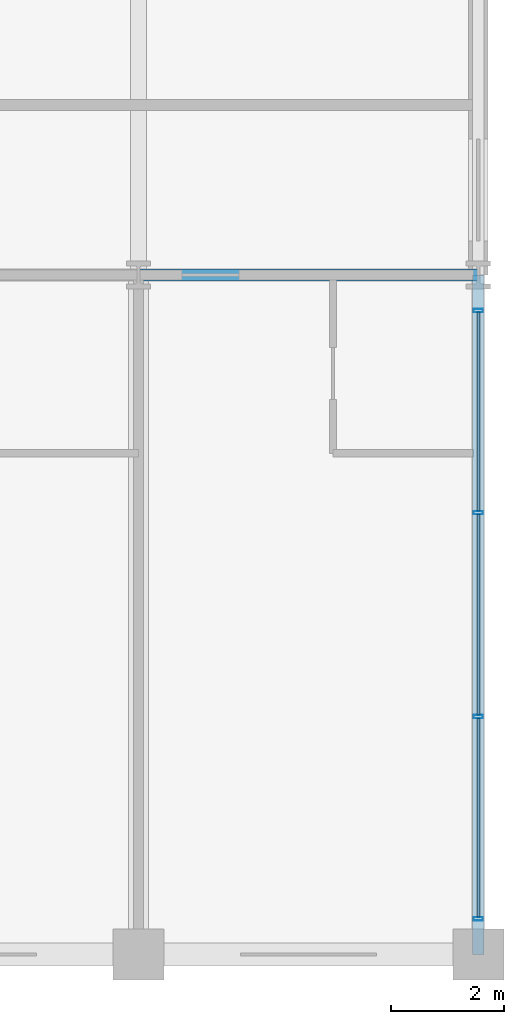
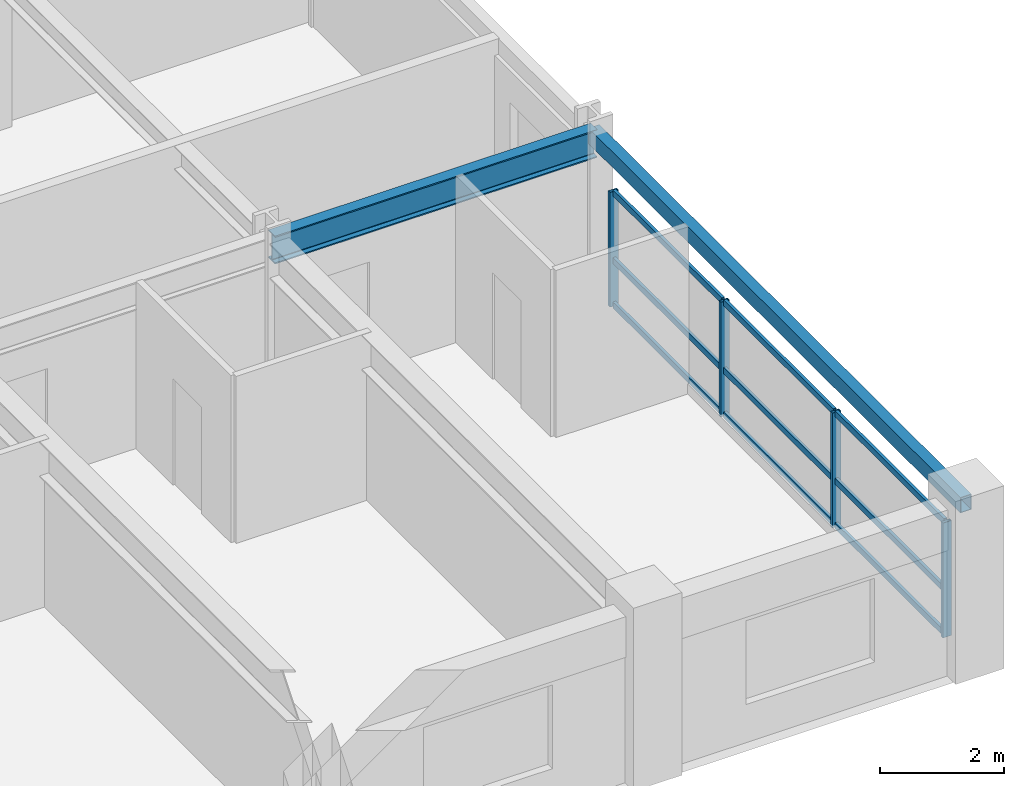
# One storey, part 12 of 22: 13 members, 2 beams, 1 element without a shape of its own.
"""IFC4 building model written with IfcOpenShell, lengths in metres."""

from ifc_helpers import new_model, si_unit, direction, frame, origin, origin_2d, place, context, subcontext, project, spatial, hollow_rectangle, i_section, extrude, material, material_profile, profile_set, type_object, element, aggregate, save


model = new_model("IFC4")

# Units and contexts
model_context = context("Model", 3, precision=1e-05, world=origin(), true_north=direction((0.0, 1.0)))
body_context = subcontext(model_context, "Body", "Model", "MODEL_VIEW")
ifc_project = project(units=[si_unit("LENGTHUNIT", "METRE"), si_unit("AREAUNIT", "SQUARE_METRE"), si_unit("VOLUMEUNIT", "CUBIC_METRE"), si_unit("PLANEANGLEUNIT", "RADIAN"), si_unit("MASSUNIT", "GRAM", prefix="KILO")], contexts=[model_context])

# Site, building, storey
site_placement = place(None, origin())
site = spatial("IfcSite", under=ifc_project, at=site_placement, CompositionType="ELEMENT")
building_placement = place(site_placement, origin())
building = spatial("IfcBuilding", under=site, at=building_placement, Name="Kaldorvane Square Convention Centre", CompositionType="ELEMENT")
storey_placement = place(building_placement, frame((0.0, 0.0, 34.80000305175781)))
storey = spatial("IfcBuildingStorey", under=building, at=storey_placement, Name="L07", CompositionType="ELEMENT", Elevation=34.80000305175781)

# Beams
ifc_material_1 = material(Name="Steel ASTM A992 Gr. 50", Category="steel")
ifc_material_profile_1 = material_profile(ifc_material_1, i_section(OverallWidth=0.213897705078125, OverallDepth=0.549102783203125, WebThickness=0.0146942138671875, FlangeThickness=0.0236053466796875, FilletRadius=0.0126953125, at=origin_2d()), Name="W21X93")
ifc_profile_set_1 = profile_set([ifc_material_profile_1], Name="Steel ASTM A992 Gr. 50")
beam_type_1 = type_object("IfcBeamType", Name="BM-GR-W21X93", PredefinedType="BEAM", material=ifc_profile_set_1)
beam_1_placement = place(storey_placement, frame((90.0, 96.0, 3.0114898681640625), z_axis=(1.0, 0.0, 0.0), x_axis=(0.0, 1.0, 0.0)))
element("IfcBeam", 1, at=beam_1_placement, inside=storey, type_object=beam_type_1, Name="Primary Girder (L07)", PredefinedType="BEAM", context=body_context, shape_type="SweptSolid", body=[
    extrude(i_section(OverallWidth=0.213897705078125, OverallDepth=0.549102783203125, WebThickness=0.0146942138671875, FlangeThickness=0.0236053466796875, FilletRadius=0.0126953125, at=origin_2d()), origin(), (0.0, 0.0, 1.0), 6.0),
])
ifc_material_2 = material(Name="Steel ASTM A500 Gr. C", Category="steel")
ifc_material_profile_2 = material_profile(ifc_material_2, hollow_rectangle(XDim=0.2032012939453125, YDim=0.3047943115234375, WallThickness=0.0088958740234375, at=origin_2d()), Name="HSS12X8X3/8")
ifc_profile_set_2 = profile_set([ifc_material_profile_2], Name="Steel ASTM A500 Gr. C")
beam_type_2 = type_object("IfcBeamType", Name="BM-SP-HSS12", PredefinedType="SPANDREL", material=ifc_profile_set_2)
beam_2_placement = place(storey_placement, frame((96.0, 84.0, 3.1335906982421875), z_axis=(0.0, 1.0, 0.0), x_axis=(-1.0, 0.0, 0.0)))
element("IfcBeam", 2, at=beam_2_placement, inside=storey, type_object=beam_type_2, Name="End Spandrel (L07)", PredefinedType="SPANDREL", context=body_context, shape_type="SweptSolid", body=[
    extrude(hollow_rectangle(XDim=0.2032012939453125, YDim=0.3047943115234375, WallThickness=0.0088958740234375, at=origin_2d()), origin(), (0.0, 0.0, 1.0), 12.0),
])

# Curtain wall, members
ifc_material_3 = material(Name="Anodized Aluminum and Low-E Insulated Glazing", Category="aluminium")
curtain_wall_type = type_object("IfcCurtainWallType", Name="CW-UNI-HTL-A", PredefinedType="USERDEFINED", material=ifc_material_3)
curtain_wall_placement = place(storey_placement, origin())
curtain_wall = element("IfcCurtainWall", 3, at=curtain_wall_placement, inside=storey, type_object=curtain_wall_type, Name="Curtain Wall CW-10 (L07)", ObjectType="UNITISED GLAZING", PredefinedType="USERDEFINED")
ifc_material_profile_3 = material_profile(ifc_material_3, hollow_rectangle(XDim=0.05999755859375, YDim=0.160003662109375, WallThickness=0.003204345703125, at=origin_2d()), Name="CWM-160X60")
ifc_profile_set_3 = profile_set([ifc_material_profile_3], Name="Anodized Aluminum and Low-E Insulated Glazing")
member_type_1 = type_object("IfcMemberType", Name="CW-MUL-160", PredefinedType="MULLION", material=ifc_profile_set_3)
member_1_placement = place(storey_placement, frame((96.0, 84.6300048828125, 0.149993896484375), z_axis=(0.0, 0.0, 1.0), x_axis=(0.0, 1.0, 0.0)))
member_1 = element("IfcMember", 4, at=member_1_placement, type_object=member_type_1, Name="CW-10 mullion 1", PredefinedType="MULLION", context=body_context, shape_type="SweptSolid", body=[
    extrude(hollow_rectangle(XDim=0.05999755859375, YDim=0.160003662109375, WallThickness=0.003204345703125, at=origin_2d()), origin(), (0.0, 0.0, 1.0), 2.260009765625),
])
member_2_placement = place(storey_placement, frame((96.0, 88.19999694824219, 0.149993896484375), z_axis=(0.0, 0.0, 1.0), x_axis=(0.0, 1.0, 0.0)))
member_2 = element("IfcMember", 5, at=member_2_placement, type_object=member_type_1, Name="CW-10 mullion 2", PredefinedType="MULLION", context=body_context, shape_type="SweptSolid", body=[
    extrude(hollow_rectangle(XDim=0.05999755859375, YDim=0.160003662109375, WallThickness=0.003204345703125, at=origin_2d()), origin(), (0.0, 0.0, 1.0), 2.260009765625),
])
member_3_placement = place(storey_placement, frame((96.0, 91.80000305175781, 0.149993896484375), z_axis=(0.0, 0.0, 1.0), x_axis=(0.0, 1.0, 0.0)))
member_3 = element("IfcMember", 6, at=member_3_placement, type_object=member_type_1, Name="CW-10 mullion 3", PredefinedType="MULLION", context=body_context, shape_type="SweptSolid", body=[
    extrude(hollow_rectangle(XDim=0.05999755859375, YDim=0.160003662109375, WallThickness=0.003204345703125, at=origin_2d()), origin(), (0.0, 0.0, 1.0), 2.260009765625),
])
member_4_placement = place(storey_placement, frame((96.0, 95.3699951171875, 0.149993896484375), z_axis=(0.0, 0.0, 1.0), x_axis=(0.0, 1.0, 0.0)))
member_4 = element("IfcMember", 7, at=member_4_placement, type_object=member_type_1, Name="CW-10 mullion 4", PredefinedType="MULLION", context=body_context, shape_type="SweptSolid", body=[
    extrude(hollow_rectangle(XDim=0.05999755859375, YDim=0.160003662109375, WallThickness=0.003204345703125, at=origin_2d()), origin(), (0.0, 0.0, 1.0), 2.260009765625),
])
ifc_material_profile_4 = material_profile(ifc_material_3, hollow_rectangle(XDim=0.05499267578125, YDim=0.1199951171875, WallThickness=0.0030059814453125, at=origin_2d()), Name="CWT-120X55")
ifc_profile_set_4 = profile_set([ifc_material_profile_4], Name="Anodized Aluminum and Low-E Insulated Glazing")
member_type_2 = type_object("IfcMemberType", Name="CW-TRN-120", PredefinedType="USERDEFINED", material=ifc_profile_set_4)
member_5_placement = place(storey_placement, frame((96.0, 84.66000366210938, 0.177490234375), z_axis=(0.0, 1.0, 0.0), x_axis=(-1.0, 0.0, 0.0)))
member_5 = element("IfcMember", 8, at=member_5_placement, type_object=member_type_2, Name="CW-10 transom 1.1", ObjectType="TRANSOM", PredefinedType="USERDEFINED", context=body_context, shape_type="SweptSolid", body=[
    extrude(hollow_rectangle(XDim=0.05499267578125, YDim=0.1199951171875, WallThickness=0.0030059814453125, at=origin_2d()), origin(), (0.0, 0.0, 1.0), 3.5099945068359375),
])
member_6_placement = place(storey_placement, frame((96.0, 84.66000366210938, 1.0500030517578125), z_axis=(0.0, 1.0, 0.0), x_axis=(-1.0, 0.0, 0.0)))
member_6 = element("IfcMember", 9, at=member_6_placement, type_object=member_type_2, Name="CW-10 transom 1.2", ObjectType="TRANSOM", PredefinedType="USERDEFINED", context=body_context, shape_type="SweptSolid", body=[
    extrude(hollow_rectangle(XDim=0.05499267578125, YDim=0.1199951171875, WallThickness=0.0030059814453125, at=origin_2d()), origin(), (0.0, 0.0, 1.0), 3.5099945068359375),
])
member_7_placement = place(storey_placement, frame((96.0, 84.66000366210938, 2.3824920654296875), z_axis=(0.0, 1.0, 0.0), x_axis=(-1.0, 0.0, 0.0)))
member_7 = element("IfcMember", 10, at=member_7_placement, type_object=member_type_2, Name="CW-10 transom 1.3", ObjectType="TRANSOM", PredefinedType="USERDEFINED", context=body_context, shape_type="SweptSolid", body=[
    extrude(hollow_rectangle(XDim=0.05499267578125, YDim=0.1199951171875, WallThickness=0.0030059814453125, at=origin_2d()), origin(), (0.0, 0.0, 1.0), 3.5099945068359375),
])
member_8_placement = place(storey_placement, frame((96.0, 88.22999572753906, 0.177490234375), z_axis=(0.0, 1.0, 0.0), x_axis=(-1.0, 0.0, 0.0)))
member_8 = element("IfcMember", 11, at=member_8_placement, type_object=member_type_2, Name="CW-10 transom 2.1", ObjectType="TRANSOM", PredefinedType="USERDEFINED", context=body_context, shape_type="SweptSolid", body=[
    extrude(hollow_rectangle(XDim=0.05499267578125, YDim=0.1199951171875, WallThickness=0.0030059814453125, at=origin_2d()), origin(), (0.0, 0.0, 1.0), 3.540008544921875),
])
member_9_placement = place(storey_placement, frame((96.0, 88.22999572753906, 1.0500030517578125), z_axis=(0.0, 1.0, 0.0), x_axis=(-1.0, 0.0, 0.0)))
member_9 = element("IfcMember", 12, at=member_9_placement, type_object=member_type_2, Name="CW-10 transom 2.2", ObjectType="TRANSOM", PredefinedType="USERDEFINED", context=body_context, shape_type="SweptSolid", body=[
    extrude(hollow_rectangle(XDim=0.05499267578125, YDim=0.1199951171875, WallThickness=0.0030059814453125, at=origin_2d()), origin(), (0.0, 0.0, 1.0), 3.540008544921875),
])
member_10_placement = place(storey_placement, frame((96.0, 88.22999572753906, 2.3824920654296875), z_axis=(0.0, 1.0, 0.0), x_axis=(-1.0, 0.0, 0.0)))
member_10 = element("IfcMember", 13, at=member_10_placement, type_object=member_type_2, Name="CW-10 transom 2.3", ObjectType="TRANSOM", PredefinedType="USERDEFINED", context=body_context, shape_type="SweptSolid", body=[
    extrude(hollow_rectangle(XDim=0.05499267578125, YDim=0.1199951171875, WallThickness=0.0030059814453125, at=origin_2d()), origin(), (0.0, 0.0, 1.0), 3.540008544921875),
])
member_11_placement = place(storey_placement, frame((96.0, 91.83000183105469, 0.177490234375), z_axis=(0.0, 1.0, 0.0), x_axis=(-1.0, 0.0, 0.0)))
member_11 = element("IfcMember", 14, at=member_11_placement, type_object=member_type_2, Name="CW-10 transom 3.1", ObjectType="TRANSOM", PredefinedType="USERDEFINED", context=body_context, shape_type="SweptSolid", body=[
    extrude(hollow_rectangle(XDim=0.05499267578125, YDim=0.1199951171875, WallThickness=0.0030059814453125, at=origin_2d()), origin(), (0.0, 0.0, 1.0), 3.5099945068359375),
])
member_12_placement = place(storey_placement, frame((96.0, 91.83000183105469, 1.0500030517578125), z_axis=(0.0, 1.0, 0.0), x_axis=(-1.0, 0.0, 0.0)))
member_12 = element("IfcMember", 15, at=member_12_placement, type_object=member_type_2, Name="CW-10 transom 3.2", ObjectType="TRANSOM", PredefinedType="USERDEFINED", context=body_context, shape_type="SweptSolid", body=[
    extrude(hollow_rectangle(XDim=0.05499267578125, YDim=0.1199951171875, WallThickness=0.0030059814453125, at=origin_2d()), origin(), (0.0, 0.0, 1.0), 3.5099945068359375),
])
member_13_placement = place(storey_placement, frame((96.0, 91.83000183105469, 2.3824920654296875), z_axis=(0.0, 1.0, 0.0), x_axis=(-1.0, 0.0, 0.0)))
member_13 = element("IfcMember", 16, at=member_13_placement, type_object=member_type_2, Name="CW-10 transom 3.3", ObjectType="TRANSOM", PredefinedType="USERDEFINED", context=body_context, shape_type="SweptSolid", body=[
    extrude(hollow_rectangle(XDim=0.05499267578125, YDim=0.1199951171875, WallThickness=0.0030059814453125, at=origin_2d()), origin(), (0.0, 0.0, 1.0), 3.5099945068359375),
])
aggregate(curtain_wall, [member_1, member_2, member_3, member_4, member_5, member_6, member_7, member_8, member_9, member_10, member_11, member_12, member_13])

save(model, "model.ifc")
